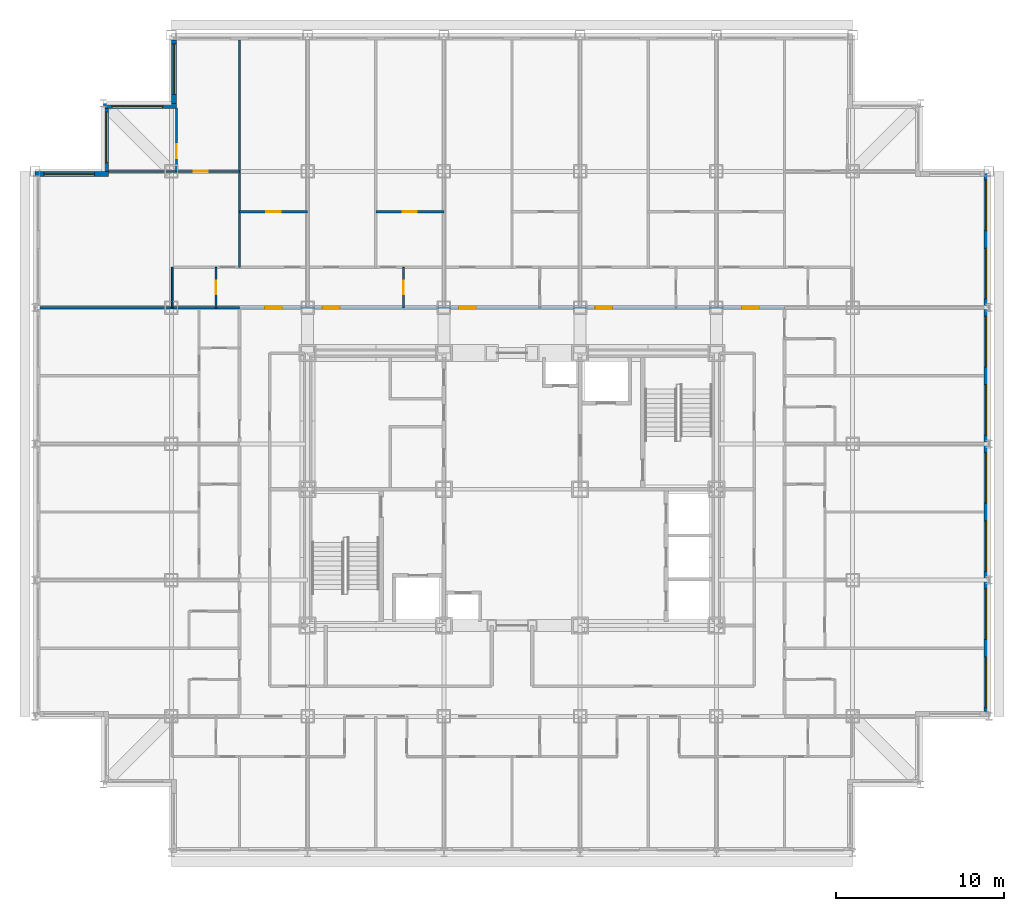
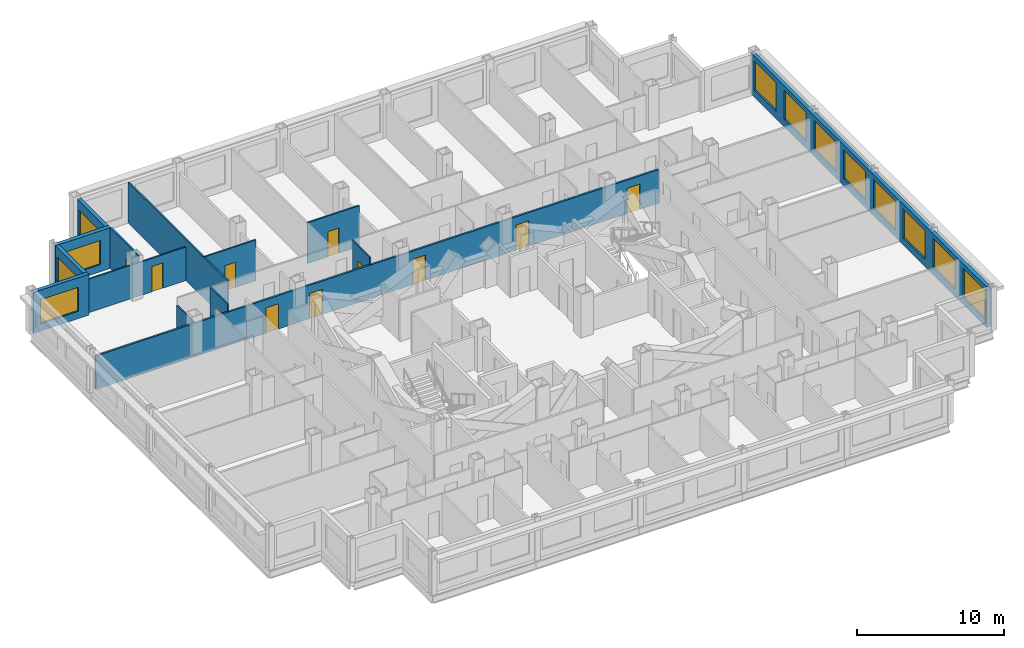
# One storey, part 9 of 12: 15 walls, 12 windows, 11 doors, 23 openings.
"""IFC4 building model written with IfcOpenShell, lengths in metres."""

from ifc_helpers import new_model, si_unit, direction, frame, frame_2d, origin, place, context, subcontext, project, spatial, rectangle, extrude, material, layer, layer_set, type_object, element, fill, save


model = new_model("IFC4")

# Units and contexts
model_context = context("Model", 3, precision=1e-05, world=origin(), true_north=direction((0.0, 1.0)))
body_context = subcontext(model_context, "Body", "Model", "MODEL_VIEW")
ifc_project = project(units=[si_unit("LENGTHUNIT", "METRE"), si_unit("AREAUNIT", "SQUARE_METRE"), si_unit("VOLUMEUNIT", "CUBIC_METRE"), si_unit("PLANEANGLEUNIT", "RADIAN"), si_unit("MASSUNIT", "GRAM", prefix="KILO")], contexts=[model_context])

# Site, building, storey
site_placement = place(None, origin())
site = spatial("IfcSite", under=ifc_project, at=site_placement, CompositionType="ELEMENT")
building_placement = place(site_placement, origin())
building = spatial("IfcBuilding", under=site, at=building_placement, Name="Kopane Lantern Tower", CompositionType="ELEMENT")
storey_placement = place(building_placement, frame((0.0, 0.0, 177.60009765625)))
storey = spatial("IfcBuildingStorey", under=building, at=storey_placement, Name="L45", CompositionType="ELEMENT", Elevation=177.60009765625)

# Wall
ifc_material_1 = material(Name="Gypsum board on steel studs", Category="steel")
ifc_layer_1 = layer(ifc_material_1, 0.1201171875)
ifc_layer_set_1 = layer_set([ifc_layer_1], Name="APARTMENT INTERNAL WALL 120")
wall_type_1 = type_object("IfcWallType", Name="APARTMENT INTERNAL WALL 120", PredefinedType="PARTITIONING", material=ifc_layer_set_1)
wall_1_placement = place(storey_placement, frame((12.14990234375, 45.60009765625, 0.0), z_axis=(0.0, 0.0, 1.0), x_axis=(0.0, 1.0, 0.0)))
element("IfcWall", 1, at=wall_1_placement, inside=storey, type_object=wall_type_1, Name="Apartment Internal Wall 120 L45", PredefinedType="PARTITIONING", context=body_context, shape_type="SweptSolid", body=[
    extrude(rectangle(XDim=13.5, YDim=0.1201171875, at=frame_2d((6.75, 0.0))), origin(), (0.0, 0.0, 1.0), 3.389892578125),
])

# Wall, opening, door
wall_2_placement = place(storey_placement, frame((12.14990234375, 51.300048828125, 0.0), z_axis=(0.0, 0.0, 1.0), x_axis=(-1.0, 0.0, 0.0)))
wall_2 = element("IfcWall", 2, at=wall_2_placement, inside=storey, type_object=wall_type_1, Name="Apartment Internal Wall 120 L45", PredefinedType="PARTITIONING", context=body_context, shape_type="SweptSolid", body=[
    extrude(rectangle(XDim=7.7998046875, YDim=0.1201171875, at=frame_2d((3.89990234375, 0.0))), origin(), (0.0, 0.0, 1.0), 2.777587890625),
])
opening_1_placement = place(wall_2_placement, frame((1.875, 0.0, 0.0)))
opening_1 = element("IfcOpeningElement", 3, at=opening_1_placement, cuts=wall_2, Name="Opening L45-071", PredefinedType="OPENING", context=body_context, shape_type="SweptSolid", body=[
    extrude(rectangle(XDim=0.85009765625, YDim=2.10009765625, at=frame_2d((0.425048828125, 1.050048828125))), frame((0.0, 0.070068359375, 0.0), z_axis=(0.0, -1.0, 0.0), x_axis=(1.0, 0.0, 0.0)), (0.0, 0.0, 1.0), 0.14013671875),
])
ifc_material_2 = material(Name="Timber door set", Category="wood")
door_type_1 = type_object("IfcDoorType", Name="DOOR D4 850x2100", OperationType="SINGLE_SWING_LEFT", PredefinedType="DOOR", material=ifc_material_2)
door_1_placement = place(opening_1_placement, origin())
door_1 = element("IfcDoor", 4, at=door_1_placement, inside=storey, type_object=door_type_1, Name="Door L45-071", OperationType="SINGLE_SWING_LEFT", OverallHeight=2.10009765625, OverallWidth=0.85009765625, PredefinedType="DOOR", context=body_context, shape_type="SweptSolid", body=[
    extrude(rectangle(XDim=0.85009765625, YDim=2.10009765625, at=frame_2d((0.425048828125, 1.050048828125))), frame((0.0, 0.02490234375, 0.0), z_axis=(0.0, -1.0, 0.0), x_axis=(1.0, 0.0, 0.0)), (0.0, 0.0, 1.0), 0.050048828125),
])
fill(opening_1, door_1)

wall_3_placement = place(storey_placement, frame((8.39990234375, 55.06005859375, 0.0), z_axis=(0.0, 0.0, 1.0), x_axis=(0.0, -1.0, 0.0)))
wall_3 = element("IfcWall", 5, at=wall_3_placement, inside=storey, type_object=wall_type_1, Name="Apartment Internal Wall 120 L45", PredefinedType="PARTITIONING", context=body_context, shape_type="SweptSolid", body=[
    extrude(rectangle(XDim=3.760009765625, YDim=0.1201171875, at=frame_2d((1.8798828125, 0.0))), origin(), (0.0, 0.0, 1.0), 3.389892578125),
])
opening_2_placement = place(wall_3_placement, frame((2.135009765625, 0.0, 0.0)))
opening_2 = element("IfcOpeningElement", 6, at=opening_2_placement, cuts=wall_3, Name="Opening L45-073", PredefinedType="OPENING", context=body_context, shape_type="SweptSolid", body=[
    extrude(rectangle(XDim=0.85009765625, YDim=2.10009765625, at=frame_2d((0.425048828125, 1.050048828125))), frame((0.0, 0.070068359375, 0.0), z_axis=(0.0, -1.0, 0.0), x_axis=(1.0, 0.0, 0.0)), (0.0, 0.0, 1.0), 0.14013671875),
])
door_2_placement = place(opening_2_placement, origin())
door_2 = element("IfcDoor", 7, at=door_2_placement, inside=storey, type_object=door_type_1, Name="Door L45-073", OperationType="SINGLE_SWING_RIGHT", OverallHeight=2.10009765625, OverallWidth=0.85009765625, PredefinedType="DOOR", context=body_context, shape_type="SweptSolid", body=[
    extrude(rectangle(XDim=0.85009765625, YDim=2.10009765625, at=frame_2d((0.425048828125, 1.050048828125))), frame((0.0, 0.02490234375, 0.0), z_axis=(0.0, -1.0, 0.0), x_axis=(1.0, 0.0, 0.0)), (0.0, 0.0, 1.0), 0.050048828125),
])
fill(opening_2, door_2)

wall_4_placement = place(storey_placement, frame((20.25, 48.89990234375, 0.0), z_axis=(0.0, 0.0, 1.0), x_axis=(1.0, 0.0, 0.0)))
wall_4 = element("IfcWall", 8, at=wall_4_placement, inside=storey, type_object=wall_type_1, Name="Apartment Internal Wall 120 L45", PredefinedType="PARTITIONING", context=body_context, shape_type="SweptSolid", body=[
    extrude(rectangle(XDim=4.050048828125, YDim=0.1201171875, at=frame_2d((2.02490234375, 0.0))), origin(), (0.0, 0.0, 1.0), 3.389892578125),
])
opening_3_placement = place(wall_4_placement, frame((1.60009765625, 0.0, 0.0)))
opening_3 = element("IfcOpeningElement", 9, at=opening_3_placement, cuts=wall_4, Name="Opening L45-074", PredefinedType="OPENING", context=body_context, shape_type="SweptSolid", body=[
    extrude(rectangle(XDim=0.85009765625, YDim=2.10009765625, at=frame_2d((0.425048828125, 1.050048828125))), frame((0.0, 0.070068359375, 0.0), z_axis=(0.0, -1.0, 0.0), x_axis=(1.0, 0.0, 0.0)), (0.0, 0.0, 1.0), 0.14013671875),
])
door_3_placement = place(opening_3_placement, origin())
door_3 = element("IfcDoor", 10, at=door_3_placement, inside=storey, type_object=door_type_1, Name="Door L45-074", OperationType="SINGLE_SWING_RIGHT", OverallHeight=2.10009765625, OverallWidth=0.85009765625, PredefinedType="DOOR", context=body_context, shape_type="SweptSolid", body=[
    extrude(rectangle(XDim=0.85009765625, YDim=2.10009765625, at=frame_2d((0.425048828125, 1.050048828125))), frame((0.0, 0.02490234375, 0.0), z_axis=(0.0, -1.0, 0.0), x_axis=(1.0, 0.0, 0.0)), (0.0, 0.0, 1.0), 0.050048828125),
])
fill(opening_3, door_3)

wall_5_placement = place(storey_placement, frame((12.14990234375, 48.89990234375, 0.0), z_axis=(0.0, 0.0, 1.0), x_axis=(1.0, 0.0, 0.0)))
wall_5 = element("IfcWall", 11, at=wall_5_placement, inside=storey, type_object=wall_type_1, Name="Apartment Internal Wall 120 L45", PredefinedType="PARTITIONING", context=body_context, shape_type="SweptSolid", body=[
    extrude(rectangle(XDim=4.050048828125, YDim=0.1201171875, at=frame_2d((2.02490234375, 0.0))), origin(), (0.0, 0.0, 1.0), 3.389892578125),
])
opening_4_placement = place(wall_5_placement, frame((1.60009765625, 0.0, 0.0)))
opening_4 = element("IfcOpeningElement", 12, at=opening_4_placement, cuts=wall_5, Name="Opening L45-078", PredefinedType="OPENING", context=body_context, shape_type="SweptSolid", body=[
    extrude(rectangle(XDim=0.85009765625, YDim=2.10009765625, at=frame_2d((0.425048828125, 1.050048828125))), frame((0.0, 0.070068359375, 0.0), z_axis=(0.0, -1.0, 0.0), x_axis=(1.0, 0.0, 0.0)), (0.0, 0.0, 1.0), 0.14013671875),
])
door_4_placement = place(opening_4_placement, origin())
door_4 = element("IfcDoor", 13, at=door_4_placement, inside=storey, type_object=door_type_1, Name="Door L45-078", OperationType="SINGLE_SWING_RIGHT", OverallHeight=2.10009765625, OverallWidth=0.85009765625, PredefinedType="DOOR", context=body_context, shape_type="SweptSolid", body=[
    extrude(rectangle(XDim=0.85009765625, YDim=2.10009765625, at=frame_2d((0.425048828125, 1.050048828125))), frame((0.0, 0.02490234375, 0.0), z_axis=(0.0, -1.0, 0.0), x_axis=(1.0, 0.0, 0.0)), (0.0, 0.0, 1.0), 0.050048828125),
])
fill(opening_4, door_4)

ifc_material_3 = material(Name="Moisture-resistant board on steel studs", Category="steel")
ifc_layer_2 = layer(ifc_material_3, 0.10009765625)
ifc_layer_set_2 = layer_set([ifc_layer_2], Name="BATHROOM WALL 100")
wall_type_2 = type_object("IfcWallType", Name="BATHROOM WALL 100", PredefinedType="PARTITIONING", material=ifc_layer_set_2)
wall_6_placement = place(storey_placement, frame((21.89990234375, 43.199951171875, 0.0), z_axis=(0.0, 0.0, 1.0), x_axis=(0.0, 1.0, 0.0)))
wall_6 = element("IfcWall", 14, at=wall_6_placement, inside=storey, type_object=wall_type_2, Name="Bathroom Wall 100 L45", PredefinedType="PARTITIONING", context=body_context, shape_type="SweptSolid", body=[
    extrude(rectangle(XDim=2.400146484375, YDim=0.10009765625, at=frame_2d((1.2001953125, 0.0))), origin(), (0.0, 0.0, 1.0), 3.389892578125),
])
opening_5_placement = place(wall_6_placement, frame((0.800048828125, 0.0, 0.0)))
opening_5 = element("IfcOpeningElement", 15, at=opening_5_placement, cuts=wall_6, Name="Opening L45-020", PredefinedType="OPENING", context=body_context, shape_type="SweptSolid", body=[
    extrude(rectangle(XDim=0.800048828125, YDim=2.10009765625, at=frame_2d((0.39990234375, 1.050048828125))), frame((0.0, 0.06005859375, 0.0), z_axis=(0.0, -1.0, 0.0), x_axis=(1.0, 0.0, 0.0)), (0.0, 0.0, 1.0), 0.1201171875),
])
ifc_material_4 = material(Name="Timber door set", Category="wood")
door_type_2 = type_object("IfcDoorType", Name="DOOR D2 800x2100", OperationType="SINGLE_SWING_LEFT", PredefinedType="DOOR", material=ifc_material_4)
door_5_placement = place(opening_5_placement, origin())
door_5 = element("IfcDoor", 16, at=door_5_placement, inside=storey, type_object=door_type_2, Name="Door L45-020", OperationType="SINGLE_SWING_RIGHT", OverallHeight=2.10009765625, OverallWidth=0.800048828125, PredefinedType="DOOR", context=body_context, shape_type="SweptSolid", body=[
    extrude(rectangle(XDim=0.800048828125, YDim=2.10009765625, at=frame_2d((0.39990234375, 1.050048828125))), frame((0.0, 0.02490234375, 0.0), z_axis=(0.0, -1.0, 0.0), x_axis=(1.0, 0.0, 0.0)), (0.0, 0.0, 1.0), 0.050048828125),
])
fill(opening_5, door_5)

wall_7_placement = place(storey_placement, frame((10.75, 43.199951171875, 0.0), z_axis=(0.0, 0.0, 1.0), x_axis=(0.0, 1.0, 0.0)))
wall_7 = element("IfcWall", 17, at=wall_7_placement, inside=storey, type_object=wall_type_2, Name="Bathroom Wall 100 L45", PredefinedType="PARTITIONING", context=body_context, shape_type="SweptSolid", body=[
    extrude(rectangle(XDim=2.400146484375, YDim=0.10009765625, at=frame_2d((1.2001953125, 0.0))), origin(), (0.0, 0.0, 1.0), 3.389892578125),
])
opening_6_placement = place(wall_7_placement, frame((0.800048828125, 0.0, 0.0)))
opening_6 = element("IfcOpeningElement", 18, at=opening_6_placement, cuts=wall_7, Name="Opening L45-069", PredefinedType="OPENING", context=body_context, shape_type="SweptSolid", body=[
    extrude(rectangle(XDim=0.800048828125, YDim=2.10009765625, at=frame_2d((0.39990234375, 1.050048828125))), frame((0.0, 0.06005859375, 0.0), z_axis=(0.0, -1.0, 0.0), x_axis=(1.0, 0.0, 0.0)), (0.0, 0.0, 1.0), 0.1201171875),
])
door_6_placement = place(opening_6_placement, origin())
door_6 = element("IfcDoor", 19, at=door_6_placement, inside=storey, type_object=door_type_2, Name="Door L45-069", OperationType="SINGLE_SWING_LEFT", OverallHeight=2.10009765625, OverallWidth=0.800048828125, PredefinedType="DOOR", context=body_context, shape_type="SweptSolid", body=[
    extrude(rectangle(XDim=0.800048828125, YDim=2.10009765625, at=frame_2d((0.39990234375, 1.050048828125))), frame((0.0, 0.02490234375, 0.0), z_axis=(0.0, -1.0, 0.0), x_axis=(1.0, 0.0, 0.0)), (0.0, 0.0, 1.0), 0.050048828125),
])
fill(opening_6, door_6)

# Wall
wall_8_placement = place(storey_placement, frame((8.14990234375, 43.199951171875, 0.0), z_axis=(0.0, 0.0, 1.0), x_axis=(0.0, 1.0, 0.0)))
element("IfcWall", 20, at=wall_8_placement, inside=storey, type_object=wall_type_2, Name="Bathroom Wall 100 L45", PredefinedType="PARTITIONING", context=body_context, shape_type="SweptSolid", body=[
    extrude(rectangle(XDim=2.400146484375, YDim=0.10009765625, at=frame_2d((1.2001953125, 0.0))), origin(), (0.0, 0.0, 1.0), 2.777587890625),
])

# Wall, openings, doors
ifc_material_5 = material(Name="Gypsum board on steel studs", Category="steel")
ifc_layer_3 = layer(ifc_material_5, 0.14990234375)
ifc_layer_set_3 = layer_set([ifc_layer_3], Name="CORRIDOR WALL 150 EI 60")
wall_type_3 = type_object("IfcWallType", Name="CORRIDOR WALL 150 EI 60", PredefinedType="PARTITIONING", material=ifc_layer_set_3)
wall_9_placement = place(storey_placement, frame((12.14990234375, 43.199951171875, 0.0), z_axis=(0.0, 0.0, 1.0), x_axis=(1.0, 0.0, 0.0)))
wall_9 = element("IfcWall", 21, at=wall_9_placement, inside=storey, type_object=wall_type_3, Name="Corridor Wall 150 Ei 60 L45", PredefinedType="PARTITIONING", context=body_context, shape_type="SweptSolid", body=[
    extrude(rectangle(XDim=32.400146484375, YDim=0.14990234375, at=frame_2d((16.2001953125, 0.0))), origin(), (0.0, 0.0, 1.0), 2.777587890625),
])
opening_7_placement = place(wall_9_placement, frame((4.949951171875, 0.0, 0.0)))
opening_7 = element("IfcOpeningElement", 22, at=opening_7_placement, cuts=wall_9, Name="Opening L45-021", PredefinedType="OPENING", context=body_context, shape_type="SweptSolid", body=[
    extrude(rectangle(XDim=1.0, YDim=2.10009765625, at=frame_2d((0.5, 1.050048828125))), frame((0.0, 0.0849609375, 0.0), z_axis=(0.0, -1.0, 0.0), x_axis=(1.0, 0.0, 0.0)), (0.0, 0.0, 1.0), 0.169921875),
])
opening_8_placement = place(wall_9_placement, frame((13.050048828125, 0.0, 0.0)))
opening_8 = element("IfcOpeningElement", 23, at=opening_8_placement, cuts=wall_9, Name="Opening L45-025", PredefinedType="OPENING", context=body_context, shape_type="SweptSolid", body=[
    extrude(rectangle(XDim=1.0, YDim=2.10009765625, at=frame_2d((0.5, 1.050048828125))), frame((0.0, 0.0849609375, 0.0), z_axis=(0.0, -1.0, 0.0), x_axis=(1.0, 0.0, 0.0)), (0.0, 0.0, 1.0), 0.169921875),
])
opening_9_placement = place(wall_9_placement, frame((21.14990234375, 0.0, 0.0)))
opening_9 = element("IfcOpeningElement", 24, at=opening_9_placement, cuts=wall_9, Name="Opening L45-029", PredefinedType="OPENING", context=body_context, shape_type="SweptSolid", body=[
    extrude(rectangle(XDim=1.0, YDim=2.10009765625, at=frame_2d((0.5, 1.050048828125))), frame((0.0, 0.0849609375, 0.0), z_axis=(0.0, -1.0, 0.0), x_axis=(1.0, 0.0, 0.0)), (0.0, 0.0, 1.0), 0.169921875),
])
opening_10_placement = place(wall_9_placement, frame((29.875, 0.0, 0.0)))
opening_10 = element("IfcOpeningElement", 25, at=opening_10_placement, cuts=wall_9, Name="Opening L45-062", PredefinedType="OPENING", context=body_context, shape_type="SweptSolid", body=[
    extrude(rectangle(XDim=1.0, YDim=2.10009765625, at=frame_2d((0.5, 1.050048828125))), frame((0.0, 0.0849609375, 0.0), z_axis=(0.0, -1.0, 0.0), x_axis=(1.0, 0.0, 0.0)), (0.0, 0.0, 1.0), 0.169921875),
])
opening_11_placement = place(wall_9_placement, frame((1.52490234375, 0.0, 0.0)))
opening_11 = element("IfcOpeningElement", 26, at=opening_11_placement, cuts=wall_9, Name="Opening L45-067", PredefinedType="OPENING", context=body_context, shape_type="SweptSolid", body=[
    extrude(rectangle(XDim=1.0, YDim=2.10009765625, at=frame_2d((0.5, 1.050048828125))), frame((0.0, 0.0849609375, 0.0), z_axis=(0.0, -1.0, 0.0), x_axis=(1.0, 0.0, 0.0)), (0.0, 0.0, 1.0), 0.169921875),
])
ifc_material_6 = material(Name="Steel door set", Category="steel")
door_type_3 = type_object("IfcDoorType", Name="DOOR D3 1000x2100 FD30S", OperationType="SINGLE_SWING_LEFT", PredefinedType="DOOR", material=ifc_material_6)
door_7_placement = place(opening_7_placement, origin())
door_7 = element("IfcDoor", 27, at=door_7_placement, inside=storey, type_object=door_type_3, Name="Door L45-021", OperationType="SINGLE_SWING_LEFT", OverallHeight=2.10009765625, OverallWidth=1.0, PredefinedType="DOOR", context=body_context, shape_type="SweptSolid", body=[
    extrude(rectangle(XDim=1.0, YDim=2.10009765625, at=frame_2d((0.5, 1.050048828125))), frame((0.0, 0.02490234375, 0.0), z_axis=(0.0, -1.0, 0.0), x_axis=(1.0, 0.0, 0.0)), (0.0, 0.0, 1.0), 0.050048828125),
])
fill(opening_7, door_7)
door_8_placement = place(opening_8_placement, origin())
door_8 = element("IfcDoor", 28, at=door_8_placement, inside=storey, type_object=door_type_3, Name="Door L45-025", OperationType="SINGLE_SWING_LEFT", OverallHeight=2.10009765625, OverallWidth=1.0, PredefinedType="DOOR", context=body_context, shape_type="SweptSolid", body=[
    extrude(rectangle(XDim=1.0, YDim=2.10009765625, at=frame_2d((0.5, 1.050048828125))), frame((0.0, 0.02490234375, 0.0), z_axis=(0.0, -1.0, 0.0), x_axis=(1.0, 0.0, 0.0)), (0.0, 0.0, 1.0), 0.050048828125),
])
fill(opening_8, door_8)
door_9_placement = place(opening_9_placement, origin())
door_9 = element("IfcDoor", 29, at=door_9_placement, inside=storey, type_object=door_type_3, Name="Door L45-029", OperationType="SINGLE_SWING_LEFT", OverallHeight=2.10009765625, OverallWidth=1.0, PredefinedType="DOOR", context=body_context, shape_type="SweptSolid", body=[
    extrude(rectangle(XDim=1.0, YDim=2.10009765625, at=frame_2d((0.5, 1.050048828125))), frame((0.0, 0.02490234375, 0.0), z_axis=(0.0, -1.0, 0.0), x_axis=(1.0, 0.0, 0.0)), (0.0, 0.0, 1.0), 0.050048828125),
])
fill(opening_9, door_9)
door_10_placement = place(opening_10_placement, origin())
door_10 = element("IfcDoor", 30, at=door_10_placement, inside=storey, type_object=door_type_3, Name="Door L45-062", OperationType="SINGLE_SWING_LEFT", OverallHeight=2.10009765625, OverallWidth=1.0, PredefinedType="DOOR", context=body_context, shape_type="SweptSolid", body=[
    extrude(rectangle(XDim=1.0, YDim=2.10009765625, at=frame_2d((0.5, 1.050048828125))), frame((0.0, 0.02490234375, 0.0), z_axis=(0.0, -1.0, 0.0), x_axis=(1.0, 0.0, 0.0)), (0.0, 0.0, 1.0), 0.050048828125),
])
fill(opening_10, door_10)
door_11_placement = place(opening_11_placement, origin())
door_11 = element("IfcDoor", 31, at=door_11_placement, inside=storey, type_object=door_type_3, Name="Door L45-067", OperationType="SINGLE_SWING_RIGHT", OverallHeight=2.10009765625, OverallWidth=1.0, PredefinedType="DOOR", context=body_context, shape_type="SweptSolid", body=[
    extrude(rectangle(XDim=1.0, YDim=2.10009765625, at=frame_2d((0.5, 1.050048828125))), frame((0.0, 0.02490234375, 0.0), z_axis=(0.0, -1.0, 0.0), x_axis=(1.0, 0.0, 0.0)), (0.0, 0.0, 1.0), 0.050048828125),
])
fill(opening_11, door_11)

# Wall
ifc_material_7 = material(Name="Gypsum board on steel studs", Category="steel")
ifc_layer_4 = layer(ifc_material_7, 0.14990234375)
ifc_layer_set_4 = layer_set([ifc_layer_4], Name="DEMISING WALL 150 EI 60")
wall_type_4 = type_object("IfcWallType", Name="DEMISING WALL 150 EI 60", PredefinedType="PARTITIONING", material=ifc_layer_set_4)
wall_10_placement = place(storey_placement, frame((0.300048828125, 43.199951171875, 0.0), z_axis=(0.0, 0.0, 1.0), x_axis=(1.0, 0.0, 0.0)))
element("IfcWall", 32, at=wall_10_placement, inside=storey, type_object=wall_type_4, Name="Demising Wall 150 Ei 60 L45", PredefinedType="PARTITIONING", context=body_context, shape_type="SweptSolid", body=[
    extrude(rectangle(XDim=11.849853515625, YDim=0.14990234375, at=frame_2d((5.9248046875, 0.0))), origin(), (0.0, 0.0, 1.0), 2.777587890625),
])

# Wall, openings, windows
ifc_material_8 = material(Name="Terracotta rainscreen on light steel framing", Category="masonry")
ifc_layer_5 = layer(ifc_material_8, 0.300048828125)
ifc_layer_set_5 = layer_set([ifc_layer_5], Name="EXTERNAL WALL EW1 300 TERRACOTTA")
wall_type_5 = type_object("IfcWallType", Name="EXTERNAL WALL EW1 300 TERRACOTTA", PredefinedType="SOLIDWALL", material=ifc_layer_set_5)
wall_11_placement = place(storey_placement, frame((56.550048828125, 19.199951171875, 0.0), z_axis=(0.0, 0.0, 1.0), x_axis=(0.0, 1.0, 0.0)))
wall_11 = element("IfcWall", 33, at=wall_11_placement, inside=storey, type_object=wall_type_5, Name="External wall E L45", PredefinedType="SOLIDWALL", context=body_context, shape_type="SweptSolid", body=[
    extrude(rectangle(XDim=32.10009765625, YDim=0.300048828125, at=frame_2d((16.050048828125, 0.0))), origin(), (0.0, 0.0, 1.0), 3.389892578125),
])
opening_12_placement = place(wall_11_placement, frame((0.22509765625, 0.0, 0.60009765625)))
opening_12 = element("IfcOpeningElement", 34, at=opening_12_placement, cuts=wall_11, Name="Opening WR300240", PredefinedType="OPENING", context=body_context, shape_type="SweptSolid", body=[
    extrude(rectangle(XDim=3.0, YDim=2.39990234375, at=frame_2d((1.5, 1.199951171875))), frame((0.0, 0.159912109375, 0.0), z_axis=(0.0, -1.0, 0.0), x_axis=(1.0, 0.0, 0.0)), (0.0, 0.0, 1.0), 0.320068359375),
])
opening_13_placement = place(wall_11_placement, frame((4.27490234375, 0.0, 0.60009765625)))
opening_13 = element("IfcOpeningElement", 35, at=opening_13_placement, cuts=wall_11, Name="Opening WR300240", PredefinedType="OPENING", context=body_context, shape_type="SweptSolid", body=[
    extrude(rectangle(XDim=3.0, YDim=2.39990234375, at=frame_2d((1.5, 1.199951171875))), frame((0.0, 0.159912109375, 0.0), z_axis=(0.0, -1.0, 0.0), x_axis=(1.0, 0.0, 0.0)), (0.0, 0.0, 1.0), 0.320068359375),
])
opening_14_placement = place(wall_11_placement, frame((8.324951171875, 0.0, 0.60009765625)))
opening_14 = element("IfcOpeningElement", 36, at=opening_14_placement, cuts=wall_11, Name="Opening WR300240", PredefinedType="OPENING", context=body_context, shape_type="SweptSolid", body=[
    extrude(rectangle(XDim=3.0, YDim=2.39990234375, at=frame_2d((1.5, 1.199951171875))), frame((0.0, 0.159912109375, 0.0), z_axis=(0.0, -1.0, 0.0), x_axis=(1.0, 0.0, 0.0)), (0.0, 0.0, 1.0), 0.320068359375),
])
opening_15_placement = place(wall_11_placement, frame((12.375, 0.0, 0.60009765625)))
opening_15 = element("IfcOpeningElement", 37, at=opening_15_placement, cuts=wall_11, Name="Opening WR300240", PredefinedType="OPENING", context=body_context, shape_type="SweptSolid", body=[
    extrude(rectangle(XDim=3.0, YDim=2.39990234375, at=frame_2d((1.5, 1.199951171875))), frame((0.0, 0.159912109375, 0.0), z_axis=(0.0, -1.0, 0.0), x_axis=(1.0, 0.0, 0.0)), (0.0, 0.0, 1.0), 0.320068359375),
])
opening_16_placement = place(wall_11_placement, frame((16.425048828125, 0.0, 0.60009765625)))
opening_16 = element("IfcOpeningElement", 38, at=opening_16_placement, cuts=wall_11, Name="Opening WR300240", PredefinedType="OPENING", context=body_context, shape_type="SweptSolid", body=[
    extrude(rectangle(XDim=3.0, YDim=2.39990234375, at=frame_2d((1.5, 1.199951171875))), frame((0.0, 0.159912109375, 0.0), z_axis=(0.0, -1.0, 0.0), x_axis=(1.0, 0.0, 0.0)), (0.0, 0.0, 1.0), 0.320068359375),
])
opening_17_placement = place(wall_11_placement, frame((20.47509765625, 0.0, 0.60009765625)))
opening_17 = element("IfcOpeningElement", 39, at=opening_17_placement, cuts=wall_11, Name="Opening WR300240", PredefinedType="OPENING", context=body_context, shape_type="SweptSolid", body=[
    extrude(rectangle(XDim=3.0, YDim=2.39990234375, at=frame_2d((1.5, 1.199951171875))), frame((0.0, 0.159912109375, 0.0), z_axis=(0.0, -1.0, 0.0), x_axis=(1.0, 0.0, 0.0)), (0.0, 0.0, 1.0), 0.320068359375),
])
opening_18_placement = place(wall_11_placement, frame((24.52490234375, 0.0, 0.60009765625)))
opening_18 = element("IfcOpeningElement", 40, at=opening_18_placement, cuts=wall_11, Name="Opening WR300240", PredefinedType="OPENING", context=body_context, shape_type="SweptSolid", body=[
    extrude(rectangle(XDim=3.0, YDim=2.39990234375, at=frame_2d((1.5, 1.199951171875))), frame((0.0, 0.159912109375, 0.0), z_axis=(0.0, -1.0, 0.0), x_axis=(1.0, 0.0, 0.0)), (0.0, 0.0, 1.0), 0.320068359375),
])
opening_19_placement = place(wall_11_placement, frame((28.574951171875, 0.0, 0.60009765625)))
opening_19 = element("IfcOpeningElement", 41, at=opening_19_placement, cuts=wall_11, Name="Opening WR300240", PredefinedType="OPENING", context=body_context, shape_type="SweptSolid", body=[
    extrude(rectangle(XDim=3.0, YDim=2.39990234375, at=frame_2d((1.5, 1.199951171875))), frame((0.0, 0.159912109375, 0.0), z_axis=(0.0, -1.0, 0.0), x_axis=(1.0, 0.0, 0.0)), (0.0, 0.0, 1.0), 0.320068359375),
])
ifc_material_9 = material(Name="Aluminium and clear glass", Category="aluminium")
window_type_1 = type_object("IfcWindowType", Name="RIBBON WINDOW WR300240 3000x2400", PartitioningType="SINGLE_PANEL", PredefinedType="WINDOW", material=ifc_material_9)
window_1_placement = place(opening_12_placement, origin())
window_1 = element("IfcWindow", 42, at=window_1_placement, inside=storey, type_object=window_type_1, Name="Window E L45", OverallHeight=2.39990234375, OverallWidth=3.0, PartitioningType="SINGLE_PANEL", PredefinedType="WINDOW", context=body_context, shape_type="SweptSolid", body=[
    extrude(rectangle(XDim=3.0, YDim=2.39990234375, at=frame_2d((1.5, 1.199951171875))), frame((0.0, 0.030029296875, 0.0), z_axis=(0.0, -1.0, 0.0), x_axis=(1.0, 0.0, 0.0)), (0.0, 0.0, 1.0), 0.06005859375),
])
fill(opening_12, window_1)
window_2_placement = place(opening_13_placement, origin())
window_2 = element("IfcWindow", 43, at=window_2_placement, inside=storey, type_object=window_type_1, Name="Window E L45", OverallHeight=2.39990234375, OverallWidth=3.0, PartitioningType="SINGLE_PANEL", PredefinedType="WINDOW", context=body_context, shape_type="SweptSolid", body=[
    extrude(rectangle(XDim=3.0, YDim=2.39990234375, at=frame_2d((1.5, 1.199951171875))), frame((0.0, 0.030029296875, 0.0), z_axis=(0.0, -1.0, 0.0), x_axis=(1.0, 0.0, 0.0)), (0.0, 0.0, 1.0), 0.06005859375),
])
fill(opening_13, window_2)
window_3_placement = place(opening_14_placement, origin())
window_3 = element("IfcWindow", 44, at=window_3_placement, inside=storey, type_object=window_type_1, Name="Window E L45", OverallHeight=2.39990234375, OverallWidth=3.0, PartitioningType="SINGLE_PANEL", PredefinedType="WINDOW", context=body_context, shape_type="SweptSolid", body=[
    extrude(rectangle(XDim=3.0, YDim=2.39990234375, at=frame_2d((1.5, 1.199951171875))), frame((0.0, 0.030029296875, 0.0), z_axis=(0.0, -1.0, 0.0), x_axis=(1.0, 0.0, 0.0)), (0.0, 0.0, 1.0), 0.06005859375),
])
fill(opening_14, window_3)
window_4_placement = place(opening_15_placement, origin())
window_4 = element("IfcWindow", 45, at=window_4_placement, inside=storey, type_object=window_type_1, Name="Window E L45", OverallHeight=2.39990234375, OverallWidth=3.0, PartitioningType="SINGLE_PANEL", PredefinedType="WINDOW", context=body_context, shape_type="SweptSolid", body=[
    extrude(rectangle(XDim=3.0, YDim=2.39990234375, at=frame_2d((1.5, 1.199951171875))), frame((0.0, 0.030029296875, 0.0), z_axis=(0.0, -1.0, 0.0), x_axis=(1.0, 0.0, 0.0)), (0.0, 0.0, 1.0), 0.06005859375),
])
fill(opening_15, window_4)
window_5_placement = place(opening_16_placement, origin())
window_5 = element("IfcWindow", 46, at=window_5_placement, inside=storey, type_object=window_type_1, Name="Window E L45", OverallHeight=2.39990234375, OverallWidth=3.0, PartitioningType="SINGLE_PANEL", PredefinedType="WINDOW", context=body_context, shape_type="SweptSolid", body=[
    extrude(rectangle(XDim=3.0, YDim=2.39990234375, at=frame_2d((1.5, 1.199951171875))), frame((0.0, 0.030029296875, 0.0), z_axis=(0.0, -1.0, 0.0), x_axis=(1.0, 0.0, 0.0)), (0.0, 0.0, 1.0), 0.06005859375),
])
fill(opening_16, window_5)
window_6_placement = place(opening_17_placement, origin())
window_6 = element("IfcWindow", 47, at=window_6_placement, inside=storey, type_object=window_type_1, Name="Window E L45", OverallHeight=2.39990234375, OverallWidth=3.0, PartitioningType="SINGLE_PANEL", PredefinedType="WINDOW", context=body_context, shape_type="SweptSolid", body=[
    extrude(rectangle(XDim=3.0, YDim=2.39990234375, at=frame_2d((1.5, 1.199951171875))), frame((0.0, 0.030029296875, 0.0), z_axis=(0.0, -1.0, 0.0), x_axis=(1.0, 0.0, 0.0)), (0.0, 0.0, 1.0), 0.06005859375),
])
fill(opening_17, window_6)
window_7_placement = place(opening_18_placement, origin())
window_7 = element("IfcWindow", 48, at=window_7_placement, inside=storey, type_object=window_type_1, Name="Window E L45", OverallHeight=2.39990234375, OverallWidth=3.0, PartitioningType="SINGLE_PANEL", PredefinedType="WINDOW", context=body_context, shape_type="SweptSolid", body=[
    extrude(rectangle(XDim=3.0, YDim=2.39990234375, at=frame_2d((1.5, 1.199951171875))), frame((0.0, 0.030029296875, 0.0), z_axis=(0.0, -1.0, 0.0), x_axis=(1.0, 0.0, 0.0)), (0.0, 0.0, 1.0), 0.06005859375),
])
fill(opening_18, window_7)
window_8_placement = place(opening_19_placement, origin())
window_8 = element("IfcWindow", 49, at=window_8_placement, inside=storey, type_object=window_type_1, Name="Window E L45", OverallHeight=2.39990234375, OverallWidth=3.0, PartitioningType="SINGLE_PANEL", PredefinedType="WINDOW", context=body_context, shape_type="SweptSolid", body=[
    extrude(rectangle(XDim=3.0, YDim=2.39990234375, at=frame_2d((1.5, 1.199951171875))), frame((0.0, 0.030029296875, 0.0), z_axis=(0.0, -1.0, 0.0), x_axis=(1.0, 0.0, 0.0)), (0.0, 0.0, 1.0), 0.06005859375),
])
fill(opening_19, window_8)

# Wall, opening, window
wall_12_placement = place(storey_placement, frame((8.25, 59.10009765625, 0.0), z_axis=(0.0, 0.0, 1.0), x_axis=(0.0, -1.0, 0.0)))
wall_12 = element("IfcWall", 50, at=wall_12_placement, inside=storey, type_object=wall_type_5, Name="External wall W L45", PredefinedType="SOLIDWALL", context=body_context, shape_type="SweptSolid", body=[
    extrude(rectangle(XDim=3.75, YDim=0.300048828125, at=frame_2d((1.875, 0.0))), origin(), (0.0, 0.0, 1.0), 3.389892578125),
])
opening_20_placement = place(wall_12_placement, frame((0.22509765625, 0.0, 0.60009765625)))
opening_20 = element("IfcOpeningElement", 51, at=opening_20_placement, cuts=wall_12, Name="Opening WR300200", PredefinedType="OPENING", context=body_context, shape_type="SweptSolid", body=[
    extrude(rectangle(XDim=3.0, YDim=2.0, at=frame_2d((1.5, 1.0))), frame((0.0, 0.159912109375, 0.0), z_axis=(0.0, -1.0, 0.0), x_axis=(1.0, 0.0, 0.0)), (0.0, 0.0, 1.0), 0.320068359375),
])
ifc_material_10 = material(Name="Aluminium and clear glass", Category="aluminium")
window_type_2 = type_object("IfcWindowType", Name="RIBBON WINDOW WR300200 3000x2000", PartitioningType="SINGLE_PANEL", PredefinedType="WINDOW", material=ifc_material_10)
window_9_placement = place(opening_20_placement, origin())
window_9 = element("IfcWindow", 52, at=window_9_placement, inside=storey, type_object=window_type_2, Name="Window W L45", OverallHeight=2.0, OverallWidth=3.0, PartitioningType="SINGLE_PANEL", PredefinedType="WINDOW", context=body_context, shape_type="SweptSolid", body=[
    extrude(rectangle(XDim=3.0, YDim=2.0, at=frame_2d((1.5, 1.0))), frame((0.0, 0.030029296875, 0.0), z_axis=(0.0, -1.0, 0.0), x_axis=(1.0, 0.0, 0.0)), (0.0, 0.0, 1.0), 0.06005859375),
])
fill(opening_20, window_9)

wall_13_placement = place(storey_placement, frame((8.39990234375, 55.199951171875, 0.0), z_axis=(0.0, 0.0, 1.0), x_axis=(-1.0, 0.0, 0.0)))
wall_13 = element("IfcWall", 53, at=wall_13_placement, inside=storey, type_object=wall_type_5, Name="External wall N L45", PredefinedType="SOLIDWALL", context=body_context, shape_type="SweptSolid", body=[
    extrude(rectangle(XDim=4.349853515625, YDim=0.300048828125, at=frame_2d((2.1748046875, 0.0))), origin(), (0.0, 0.0, 1.0), 3.389892578125),
])
opening_21_placement = place(wall_13_placement, frame((0.824951171875, 0.0, 0.60009765625)))
opening_21 = element("IfcOpeningElement", 54, at=opening_21_placement, cuts=wall_13, Name="Opening WR300200", PredefinedType="OPENING", context=body_context, shape_type="SweptSolid", body=[
    extrude(rectangle(XDim=3.0, YDim=2.0, at=frame_2d((1.5, 1.0))), frame((0.0, 0.159912109375, 0.0), z_axis=(0.0, -1.0, 0.0), x_axis=(1.0, 0.0, 0.0)), (0.0, 0.0, 1.0), 0.320068359375),
])
window_10_placement = place(opening_21_placement, origin())
window_10 = element("IfcWindow", 55, at=window_10_placement, inside=storey, type_object=window_type_2, Name="Window N L45", OverallHeight=2.0, OverallWidth=3.0, PartitioningType="SINGLE_PANEL", PredefinedType="WINDOW", context=body_context, shape_type="SweptSolid", body=[
    extrude(rectangle(XDim=3.0, YDim=2.0, at=frame_2d((1.5, 1.0))), frame((0.0, 0.030029296875, 0.0), z_axis=(0.0, -1.0, 0.0), x_axis=(1.0, 0.0, 0.0)), (0.0, 0.0, 1.0), 0.06005859375),
])
fill(opening_21, window_10)

wall_14_placement = place(storey_placement, frame((4.199951171875, 55.050048828125, 0.0), z_axis=(0.0, 0.0, 1.0), x_axis=(0.0, -1.0, 0.0)))
wall_14 = element("IfcWall", 56, at=wall_14_placement, inside=storey, type_object=wall_type_5, Name="External wall W L45", PredefinedType="SOLIDWALL", context=body_context, shape_type="SweptSolid", body=[
    extrude(rectangle(XDim=3.75, YDim=0.300048828125, at=frame_2d((1.875, 0.0))), origin(), (0.0, 0.0, 1.0), 3.389892578125),
])
opening_22_placement = place(wall_14_placement, frame((0.22509765625, 0.0, 0.60009765625)))
opening_22 = element("IfcOpeningElement", 57, at=opening_22_placement, cuts=wall_14, Name="Opening WR300200", PredefinedType="OPENING", context=body_context, shape_type="SweptSolid", body=[
    extrude(rectangle(XDim=3.0, YDim=2.0, at=frame_2d((1.5, 1.0))), frame((0.0, 0.159912109375, 0.0), z_axis=(0.0, -1.0, 0.0), x_axis=(1.0, 0.0, 0.0)), (0.0, 0.0, 1.0), 0.320068359375),
])
window_11_placement = place(opening_22_placement, origin())
window_11 = element("IfcWindow", 58, at=window_11_placement, inside=storey, type_object=window_type_2, Name="Window W L45", OverallHeight=2.0, OverallWidth=3.0, PartitioningType="SINGLE_PANEL", PredefinedType="WINDOW", context=body_context, shape_type="SweptSolid", body=[
    extrude(rectangle(XDim=3.0, YDim=2.0, at=frame_2d((1.5, 1.0))), frame((0.0, 0.030029296875, 0.0), z_axis=(0.0, -1.0, 0.0), x_axis=(1.0, 0.0, 0.0)), (0.0, 0.0, 1.0), 0.06005859375),
])
fill(opening_22, window_11)

wall_15_placement = place(storey_placement, frame((4.35009765625, 51.14990234375, 0.0), z_axis=(0.0, 0.0, 1.0), x_axis=(-1.0, 0.0, 0.0)))
wall_15 = element("IfcWall", 59, at=wall_15_placement, inside=storey, type_object=wall_type_5, Name="External wall N L45", PredefinedType="SOLIDWALL", context=body_context, shape_type="SweptSolid", body=[
    extrude(rectangle(XDim=4.35009765625, YDim=0.300048828125, at=frame_2d((2.175048828125, 0.0))), origin(), (0.0, 0.0, 1.0), 3.389892578125),
])
opening_23_placement = place(wall_15_placement, frame((0.824951171875, 0.0, 0.60009765625)))
opening_23 = element("IfcOpeningElement", 60, at=opening_23_placement, cuts=wall_15, Name="Opening WR300200", PredefinedType="OPENING", context=body_context, shape_type="SweptSolid", body=[
    extrude(rectangle(XDim=3.0, YDim=2.0, at=frame_2d((1.5, 1.0))), frame((0.0, 0.159912109375, 0.0), z_axis=(0.0, -1.0, 0.0), x_axis=(1.0, 0.0, 0.0)), (0.0, 0.0, 1.0), 0.320068359375),
])
window_12_placement = place(opening_23_placement, origin())
window_12 = element("IfcWindow", 61, at=window_12_placement, inside=storey, type_object=window_type_2, Name="Window N L45", OverallHeight=2.0, OverallWidth=3.0, PartitioningType="SINGLE_PANEL", PredefinedType="WINDOW", context=body_context, shape_type="SweptSolid", body=[
    extrude(rectangle(XDim=3.0, YDim=2.0, at=frame_2d((1.5, 1.0))), frame((0.0, 0.030029296875, 0.0), z_axis=(0.0, -1.0, 0.0), x_axis=(1.0, 0.0, 0.0)), (0.0, 0.0, 1.0), 0.06005859375),
])
fill(opening_23, window_12)

save(model, "model.ifc")
